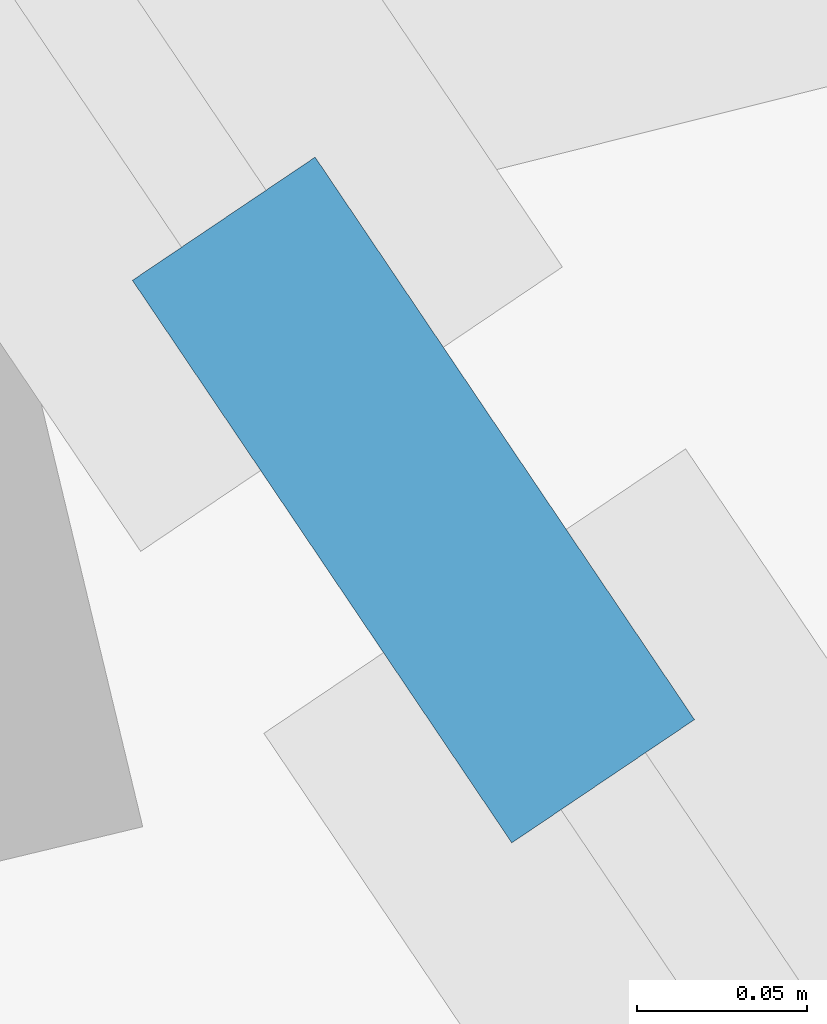
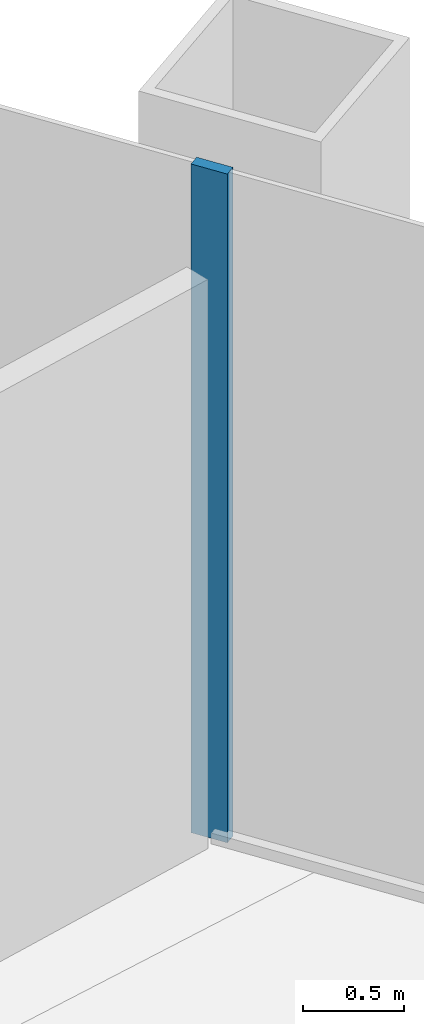
# One storey, part 5 of 13: 1 member, 1 element without a shape of its own.
"""IFC4 building model written with IfcOpenShell, lengths in metres."""

from ifc_helpers import new_model, si_unit, direction, frame, origin, origin_2d, place, context, subcontext, project, spatial, rectangle, extrude, material, material_profile, profile_set, type_object, element, aggregate, save


model = new_model("IFC4")

# Units and contexts
model_context = context("Model", 3, precision=1e-05, world=origin(), true_north=direction((0.0, 1.0)))
body_context = subcontext(model_context, "Body", "Model", "MODEL_VIEW")
ifc_project = project(units=[si_unit("LENGTHUNIT", "METRE"), si_unit("AREAUNIT", "SQUARE_METRE"), si_unit("VOLUMEUNIT", "CUBIC_METRE"), si_unit("PLANEANGLEUNIT", "RADIAN"), si_unit("MASSUNIT", "GRAM", prefix="KILO")], contexts=[model_context])

# Site, building, storey
site_placement = place(None, origin())
site = spatial("IfcSite", under=ifc_project, at=site_placement, CompositionType="ELEMENT")
building_placement = place(site_placement, origin())
building = spatial("IfcBuilding", under=site, at=building_placement, Name="Qingtian Harvest Tower", CompositionType="ELEMENT")
storey_placement = place(building_placement, frame((0.0, 0.0, 226.60009765625)))
storey = spatial("IfcBuildingStorey", under=building, at=storey_placement, Name="L49", CompositionType="ELEMENT", Elevation=226.60009765625)

# Curtain wall, member
ifc_material_1 = material(Name="Bronze-anodised aluminium curtain wall", Category="aluminium")
curtain_wall_type = type_object("IfcCurtainWallType", Name="Curtain wall CW4 office", PredefinedType="USERDEFINED", material=ifc_material_1)
curtain_wall_placement = place(storey_placement, origin())
curtain_wall = element("IfcCurtainWall", 1, at=curtain_wall_placement, inside=storey, type_object=curtain_wall_type, Name="Curtain wall CW4 L49 NE0-5", ObjectType="RECESSED CURTAIN WALL", PredefinedType="USERDEFINED")
ifc_material_2 = material(Name="Bronze-anodised aluminium mullion", Category="aluminium")
ifc_material_profile = material_profile(ifc_material_2, rectangle(XDim=0.06494140625, YDim=0.199951171875, at=origin_2d()), Name="AL 65x200")
ifc_profile_set = profile_set([ifc_material_profile], Name="Bronze-anodised aluminium mullion")
member_type = type_object("IfcMemberType", Name="Mullion CWM 65x200", PredefinedType="MULLION", material=ifc_profile_set)
member_placement = place(storey_placement, frame((23.150390625, 5.55712890625, 0.0), z_axis=(0.0, 0.0, 1.0), x_axis=(0.829037572555, 0.559192903471, 0.0)))
member = element("IfcMember", 2, at=member_placement, type_object=member_type, Name="CW4 mullion 6", PredefinedType="MULLION", context=body_context, shape_type="SweptSolid", body=[
    extrude(rectangle(XDim=0.06494140625, YDim=0.199951171875, at=origin_2d()), origin(), (0.0, 0.0, 1.0), 4.02978515625),
])
aggregate(curtain_wall, [member])

save(model, "model.ifc")
